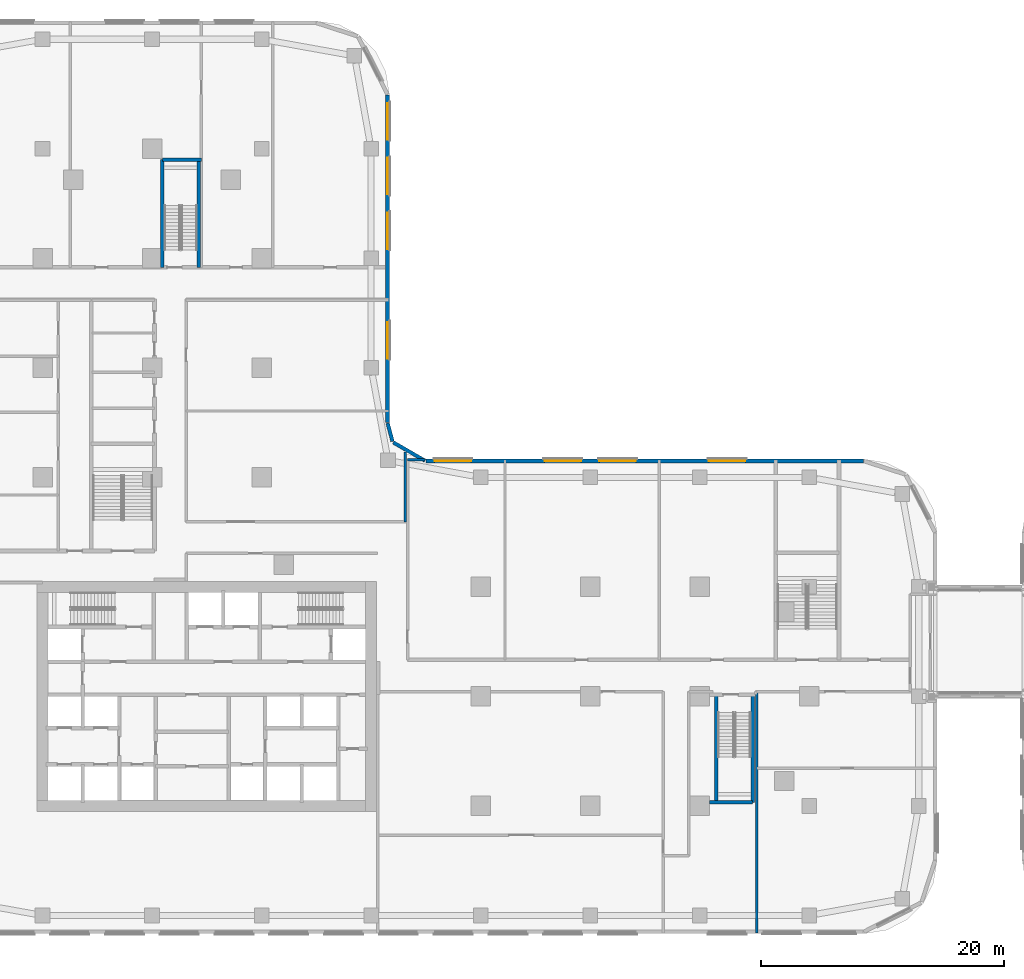
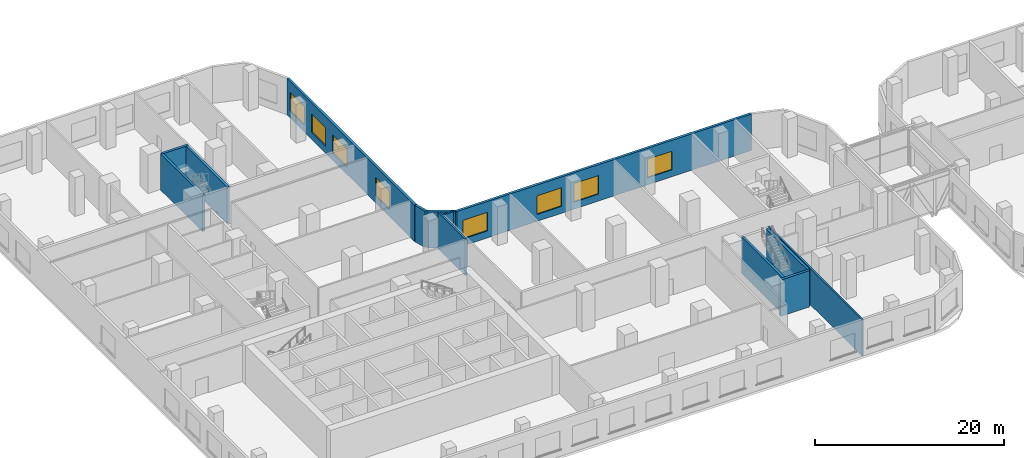
# One storey, part 10 of 35: 13 walls, 8 windows, 8 openings.
"""IFC4 building model written with IfcOpenShell, lengths in metres."""

from ifc_helpers import new_model, si_unit, direction, frame, frame_2d, origin, place, context, subcontext, project, spatial, rectangle, extrude, material, layer, layer_set, type_object, element, fill, save


model = new_model("IFC4")

# Units and contexts
model_context = context("Model", 3, precision=1e-05, world=origin(), true_north=direction((0.0, 1.0)))
body_context = subcontext(model_context, "Body", "Model", "MODEL_VIEW")
ifc_project = project(units=[si_unit("LENGTHUNIT", "METRE"), si_unit("AREAUNIT", "SQUARE_METRE"), si_unit("VOLUMEUNIT", "CUBIC_METRE"), si_unit("PLANEANGLEUNIT", "RADIAN"), si_unit("MASSUNIT", "GRAM", prefix="KILO")], contexts=[model_context])

# Site, building, storey
site_placement = place(None, origin())
site = spatial("IfcSite", under=ifc_project, at=site_placement, CompositionType="ELEMENT")
building_placement = place(site_placement, origin())
building = spatial("IfcBuilding", under=site, at=building_placement, Name="Ogive Portal Towers", CompositionType="ELEMENT")
storey_placement = place(building_placement, frame((0.0, 0.0, 23.5)))
storey = spatial("IfcBuildingStorey", under=building, at=storey_placement, Name="L04", CompositionType="ELEMENT", Elevation=23.5)

# Wall, openings, windows
ifc_material_1 = material(Name="Limestone cladding on lightweight block wall", Category="masonry")
ifc_layer_1 = layer(ifc_material_1, 0.300048828125)
ifc_layer_set_1 = layer_set([ifc_layer_1], Name="EXTERNAL WALL 300 STONE")
wall_type_1 = type_object("IfcWallType", Name="EXTERNAL WALL 300 STONE", PredefinedType="SOLIDWALL", material=ifc_layer_set_1)
wall_1_placement = place(storey_placement, frame((98.952392578125, 49.85009765625, 0.0), z_axis=(0.0, 0.0, 1.0), x_axis=(-1.0, 0.0, 0.0)))
wall_1 = element("IfcWall", 1, at=wall_1_placement, inside=storey, type_object=wall_type_1, Name="A:L04:f08:w0", PredefinedType="SOLIDWALL", context=body_context, shape_type="SweptSolid", body=[
    extrude(rectangle(XDim=35.952392578125, YDim=0.300048828125, at=frame_2d((17.97607421875, 0.0))), origin(), (0.0, 0.0, 1.0), 4.699951171875),
])
opening_1_placement = place(wall_1_placement, frame((9.702392578125, 0.0, 0.89990234375)))
opening_1 = element("IfcOpeningElement", 2, at=opening_1_placement, cuts=wall_1, Name="Opening WN3", PredefinedType="OPENING", context=body_context, shape_type="SweptSolid", body=[
    extrude(rectangle(XDim=3.0, YDim=2.39990234375, at=frame_2d((1.5, 1.199951171875))), frame((0.0, 0.16015625, 0.0), z_axis=(0.0, -1.0, 0.0), x_axis=(1.0, 0.0, 0.0)), (0.0, 0.0, 1.0), 0.320068359375),
])
opening_2_placement = place(wall_1_placement, frame((18.702392578125, 0.0, 0.89990234375)))
opening_2 = element("IfcOpeningElement", 3, at=opening_2_placement, cuts=wall_1, Name="Opening WN3", PredefinedType="OPENING", context=body_context, shape_type="SweptSolid", body=[
    extrude(rectangle(XDim=3.0, YDim=2.39990234375, at=frame_2d((1.5, 1.199951171875))), frame((0.0, 0.16015625, 0.0), z_axis=(0.0, -1.0, 0.0), x_axis=(1.0, 0.0, 0.0)), (0.0, 0.0, 1.0), 0.320068359375),
])
opening_3_placement = place(wall_1_placement, frame((23.202392578125, 0.0, 0.89990234375)))
opening_3 = element("IfcOpeningElement", 4, at=opening_3_placement, cuts=wall_1, Name="Opening WN3", PredefinedType="OPENING", context=body_context, shape_type="SweptSolid", body=[
    extrude(rectangle(XDim=3.0, YDim=2.39990234375, at=frame_2d((1.5, 1.199951171875))), frame((0.0, 0.16015625, 0.0), z_axis=(0.0, -1.0, 0.0), x_axis=(1.0, 0.0, 0.0)), (0.0, 0.0, 1.0), 0.320068359375),
])
opening_4_placement = place(wall_1_placement, frame((32.226318359375, 0.0, 0.89990234375)))
opening_4 = element("IfcOpeningElement", 5, at=opening_4_placement, cuts=wall_1, Name="Opening WN3", PredefinedType="OPENING", context=body_context, shape_type="SweptSolid", body=[
    extrude(rectangle(XDim=3.0, YDim=2.39990234375, at=frame_2d((1.5, 1.199951171875))), frame((0.0, 0.16015625, 0.0), z_axis=(0.0, -1.0, 0.0), x_axis=(1.0, 0.0, 0.0)), (0.0, 0.0, 1.0), 0.320068359375),
])
ifc_material_2 = material(Name="Glass, clear low-iron insulated glazing", Category="glass")
window_type = type_object("IfcWindowType", Name="WINDOW PODIUM 3000x2400", PartitioningType="SINGLE_PANEL", PredefinedType="WINDOW", material=ifc_material_2)
window_1_placement = place(opening_1_placement, origin())
window_1 = element("IfcWindow", 6, at=window_1_placement, inside=storey, type_object=window_type, Name="A:L04:f08:w0:o1b", OverallHeight=2.39990234375, OverallWidth=3.0, PartitioningType="SINGLE_PANEL", PredefinedType="WINDOW", context=body_context, shape_type="SweptSolid", body=[
    extrude(rectangle(XDim=3.0, YDim=2.39990234375, at=frame_2d((1.5, 1.199951171875))), frame((0.0, 0.030029296875, 0.0), z_axis=(0.0, -1.0, 0.0), x_axis=(1.0, 0.0, 0.0)), (0.0, 0.0, 1.0), 0.06005859375),
])
fill(opening_1, window_1)
window_2_placement = place(opening_2_placement, origin())
window_2 = element("IfcWindow", 7, at=window_2_placement, inside=storey, type_object=window_type, Name="A:L04:f08:w0:o2b", OverallHeight=2.39990234375, OverallWidth=3.0, PartitioningType="SINGLE_PANEL", PredefinedType="WINDOW", context=body_context, shape_type="SweptSolid", body=[
    extrude(rectangle(XDim=3.0, YDim=2.39990234375, at=frame_2d((1.5, 1.199951171875))), frame((0.0, 0.030029296875, 0.0), z_axis=(0.0, -1.0, 0.0), x_axis=(1.0, 0.0, 0.0)), (0.0, 0.0, 1.0), 0.06005859375),
])
fill(opening_2, window_2)
window_3_placement = place(opening_3_placement, origin())
window_3 = element("IfcWindow", 8, at=window_3_placement, inside=storey, type_object=window_type, Name="A:L04:f08:w0:o3a", OverallHeight=2.39990234375, OverallWidth=3.0, PartitioningType="SINGLE_PANEL", PredefinedType="WINDOW", context=body_context, shape_type="SweptSolid", body=[
    extrude(rectangle(XDim=3.0, YDim=2.39990234375, at=frame_2d((1.5, 1.199951171875))), frame((0.0, 0.030029296875, 0.0), z_axis=(0.0, -1.0, 0.0), x_axis=(1.0, 0.0, 0.0)), (0.0, 0.0, 1.0), 0.06005859375),
])
fill(opening_3, window_3)
window_4_placement = place(opening_4_placement, origin())
window_4 = element("IfcWindow", 9, at=window_4_placement, inside=storey, type_object=window_type, Name="A:L04:f08:w0:o4", OverallHeight=2.39990234375, OverallWidth=3.0, PartitioningType="SINGLE_PANEL", PredefinedType="WINDOW", context=body_context, shape_type="SweptSolid", body=[
    extrude(rectangle(XDim=3.0, YDim=2.39990234375, at=frame_2d((1.5, 1.199951171875))), frame((0.0, 0.030029296875, 0.0), z_axis=(0.0, -1.0, 0.0), x_axis=(1.0, 0.0, 0.0)), (0.0, 0.0, 1.0), 0.06005859375),
])
fill(opening_4, window_4)

# Walls
wall_2_placement = place(storey_placement, frame((62.925048828125, 49.8701171875, 0.0), z_axis=(0.0, 0.0, 1.0), x_axis=(-0.866031096941, 0.499990139034, 0.0)))
element("IfcWall", 10, at=wall_2_placement, inside=storey, type_object=wall_type_1, Name="A:L04:f09:w0", PredefinedType="SOLIDWALL", context=body_context, shape_type="SweptSolid", body=[
    extrude(rectangle(XDim=3.0, YDim=0.300048828125, at=frame_2d((1.5, 0.0))), origin(), (0.0, 0.0, 1.0), 4.699951171875),
])
wall_3_placement = place(storey_placement, frame((60.257080078125, 51.461181640625, 0.0), z_axis=(0.0, 0.0, 1.0), x_axis=(-0.258777996848, 0.965936824201, 0.0)))
element("IfcWall", 11, at=wall_3_placement, inside=storey, type_object=wall_type_1, Name="A:L04:f10:w0", PredefinedType="SOLIDWALL", context=body_context, shape_type="SweptSolid", body=[
    extrude(rectangle(XDim=1.552978515625, YDim=0.300048828125, at=frame_2d((0.7763671875, 0.0))), origin(), (0.0, 0.0, 1.0), 4.699951171875),
])

# Wall, openings, windows
wall_4_placement = place(storey_placement, frame((59.85009765625, 53.0, 0.0), z_axis=(0.0, 0.0, 1.0), x_axis=(0.0, 1.0, 0.0)))
wall_4 = element("IfcWall", 12, at=wall_4_placement, inside=storey, type_object=wall_type_1, Name="A:L04:f11:w0", PredefinedType="SOLIDWALL", context=body_context, shape_type="SweptSolid", body=[
    extrude(rectangle(XDim=26.927978515625, YDim=0.300048828125, at=frame_2d((13.4638671875, 0.0))), origin(), (0.0, 0.0, 1.0), 4.699951171875),
])
opening_5_placement = place(wall_4_placement, frame((5.25, 0.0, 0.89990234375)))
opening_5 = element("IfcOpeningElement", 13, at=opening_5_placement, cuts=wall_4, Name="Opening WN3", PredefinedType="OPENING", context=body_context, shape_type="SweptSolid", body=[
    extrude(rectangle(XDim=3.0, YDim=2.39990234375, at=frame_2d((1.5, 1.199951171875))), frame((0.0, 0.16015625, 0.0), z_axis=(0.0, -1.0, 0.0), x_axis=(1.0, 0.0, 0.0)), (0.0, 0.0, 1.0), 0.320068359375),
])
opening_6_placement = place(wall_4_placement, frame((14.25, 0.0, 0.89990234375)))
opening_6 = element("IfcOpeningElement", 14, at=opening_6_placement, cuts=wall_4, Name="Opening WN3", PredefinedType="OPENING", context=body_context, shape_type="SweptSolid", body=[
    extrude(rectangle(XDim=3.0, YDim=2.39990234375, at=frame_2d((1.5, 1.199951171875))), frame((0.0, 0.16015625, 0.0), z_axis=(0.0, -1.0, 0.0), x_axis=(1.0, 0.0, 0.0)), (0.0, 0.0, 1.0), 0.320068359375),
])
opening_7_placement = place(wall_4_placement, frame((18.75, 0.0, 0.89990234375)))
opening_7 = element("IfcOpeningElement", 15, at=opening_7_placement, cuts=wall_4, Name="Opening WN3", PredefinedType="OPENING", context=body_context, shape_type="SweptSolid", body=[
    extrude(rectangle(XDim=3.0, YDim=2.39990234375, at=frame_2d((1.5, 1.199951171875))), frame((0.0, 0.16015625, 0.0), z_axis=(0.0, -1.0, 0.0), x_axis=(1.0, 0.0, 0.0)), (0.0, 0.0, 1.0), 0.320068359375),
])
opening_8_placement = place(wall_4_placement, frame((23.25, 0.0, 0.89990234375)))
opening_8 = element("IfcOpeningElement", 16, at=opening_8_placement, cuts=wall_4, Name="Opening WN3", PredefinedType="OPENING", context=body_context, shape_type="SweptSolid", body=[
    extrude(rectangle(XDim=3.0, YDim=2.39990234375, at=frame_2d((1.5, 1.199951171875))), frame((0.0, 0.16015625, 0.0), z_axis=(0.0, -1.0, 0.0), x_axis=(1.0, 0.0, 0.0)), (0.0, 0.0, 1.0), 0.320068359375),
])
window_5_placement = place(opening_5_placement, origin())
window_5 = element("IfcWindow", 17, at=window_5_placement, inside=storey, type_object=window_type, Name="A:L04:f11:w0:o1a", OverallHeight=2.39990234375, OverallWidth=3.0, PartitioningType="SINGLE_PANEL", PredefinedType="WINDOW", context=body_context, shape_type="SweptSolid", body=[
    extrude(rectangle(XDim=3.0, YDim=2.39990234375, at=frame_2d((1.5, 1.199951171875))), frame((0.0, 0.030029296875, 0.0), z_axis=(0.0, -1.0, 0.0), x_axis=(1.0, 0.0, 0.0)), (0.0, 0.0, 1.0), 0.06005859375),
])
fill(opening_5, window_5)
window_6_placement = place(opening_6_placement, origin())
window_6 = element("IfcWindow", 18, at=window_6_placement, inside=storey, type_object=window_type, Name="A:L04:f11:w0:o2a", OverallHeight=2.39990234375, OverallWidth=3.0, PartitioningType="SINGLE_PANEL", PredefinedType="WINDOW", context=body_context, shape_type="SweptSolid", body=[
    extrude(rectangle(XDim=3.0, YDim=2.39990234375, at=frame_2d((1.5, 1.199951171875))), frame((0.0, 0.030029296875, 0.0), z_axis=(0.0, -1.0, 0.0), x_axis=(1.0, 0.0, 0.0)), (0.0, 0.0, 1.0), 0.06005859375),
])
fill(opening_6, window_6)
window_7_placement = place(opening_7_placement, origin())
window_7 = element("IfcWindow", 19, at=window_7_placement, inside=storey, type_object=window_type, Name="A:L04:f11:w0:o2b", OverallHeight=2.39990234375, OverallWidth=3.0, PartitioningType="SINGLE_PANEL", PredefinedType="WINDOW", context=body_context, shape_type="SweptSolid", body=[
    extrude(rectangle(XDim=3.0, YDim=2.39990234375, at=frame_2d((1.5, 1.199951171875))), frame((0.0, 0.030029296875, 0.0), z_axis=(0.0, -1.0, 0.0), x_axis=(1.0, 0.0, 0.0)), (0.0, 0.0, 1.0), 0.06005859375),
])
fill(opening_7, window_7)
window_8_placement = place(opening_8_placement, origin())
window_8 = element("IfcWindow", 20, at=window_8_placement, inside=storey, type_object=window_type, Name="A:L04:f11:w0:o3", OverallHeight=2.39990234375, OverallWidth=3.0, PartitioningType="SINGLE_PANEL", PredefinedType="WINDOW", context=body_context, shape_type="SweptSolid", body=[
    extrude(rectangle(XDim=3.0, YDim=2.39990234375, at=frame_2d((1.5, 1.199951171875))), frame((0.0, 0.030029296875, 0.0), z_axis=(0.0, -1.0, 0.0), x_axis=(1.0, 0.0, 0.0)), (0.0, 0.0, 1.0), 0.06005859375),
])
fill(opening_8, window_8)

# Walls
ifc_material_3 = material(Name="Concrete C50/60", Category="concrete")
ifc_layer_2 = layer(ifc_material_3, 0.300048828125)
ifc_layer_set_2 = layer_set([ifc_layer_2], Name="STAIR WALL 300 C50")
wall_type_2 = type_object("IfcWallType", Name="STAIR WALL 300 C50", PredefinedType="SHEAR", material=ifc_layer_set_2)
wall_5_placement = place(storey_placement, frame((86.300048828125, 21.800048828125, 0.0), z_axis=(0.0, 0.0, 1.0), x_axis=(1.0, 0.0, 0.0)))
element("IfcWall", 21, at=wall_5_placement, inside=storey, type_object=wall_type_2, Name="Stair wall ST-A4 L04", PredefinedType="SHEAR", context=body_context, shape_type="SweptSolid", body=[
    extrude(rectangle(XDim=3.550048828125, YDim=0.300048828125, at=frame_2d((1.77490234375, 0.0))), origin(), (0.0, 0.0, 1.0), 4.699951171875),
])
wall_6_placement = place(storey_placement, frame((41.35009765625, 74.60009765625, 0.0), z_axis=(0.0, 0.0, 1.0), x_axis=(1.0, 0.0, 0.0)))
element("IfcWall", 22, at=wall_6_placement, inside=storey, type_object=wall_type_2, Name="Stair wall ST-A3 L04", PredefinedType="SHEAR", context=body_context, shape_type="SweptSolid", body=[
    extrude(rectangle(XDim=3.199951171875, YDim=0.300048828125, at=frame_2d((1.60009765625, 0.0))), origin(), (0.0, 0.0, 1.0), 4.699951171875),
])
for number, where, z_axis, x_axis, name in (
    (23, (41.35009765625, 65.75, 0.0), (0.0, 0.0, 1.0), (0.0, 1.0, 0.0), "Stair wall ST-A3 L04"),
    (24, (44.35009765625, 65.75, 0.0), (0.0, 0.0, 1.0), (0.0, 1.0, 0.0), "Stair wall ST-A3 L04"),
):
    element("IfcWall", number, at=place(storey_placement, frame(where, z_axis=z_axis, x_axis=x_axis)), inside=storey, type_object=wall_type_2, Name=name, PredefinedType="SHEAR", context=body_context, shape_type="SweptSolid", body=[
        extrude(rectangle(XDim=8.85009765625, YDim=0.300048828125, at=frame_2d((4.425048828125, 0.0))), origin(), (0.0, 0.0, 1.0), 4.699951171875),
    ])
for number, where, z_axis, x_axis, name in (
    (25, (86.85009765625, 21.800048828125, 0.0), (0.0, 0.0, 1.0), (0.0, 1.0, 0.0), "Stair wall ST-A4 L04"),
    (26, (89.85009765625, 21.800048828125, 0.0), (0.0, 0.0, 1.0), (0.0, 1.0, 0.0), "Stair wall ST-A4 L04"),
):
    element("IfcWall", number, at=place(storey_placement, frame(where, z_axis=z_axis, x_axis=x_axis)), inside=storey, type_object=wall_type_2, Name=name, PredefinedType="SHEAR", context=body_context, shape_type="SweptSolid", body=[
        extrude(rectangle(XDim=8.849853515625, YDim=0.300048828125, at=frame_2d((4.4248046875, 0.0))), origin(), (0.0, 0.0, 1.0), 4.699951171875),
    ])
ifc_material_4 = material(Name="Gypsum board partition on steel studs", Category="steel")
ifc_layer_3 = layer(ifc_material_4, 0.199951171875)
ifc_layer_set_3 = layer_set([ifc_layer_3], Name="WT-PART-200-EI 60")
wall_type_3 = type_object("IfcWallType", Name="WT-PART-200-EI 60", PredefinedType="PARTITIONING", material=ifc_layer_set_3)
wall_7_placement = place(storey_placement, frame((61.5, 49.949951171875, 0.0), z_axis=(0.0, 0.0, 1.0), x_axis=(1.0, 0.0, 0.0)))
element("IfcWall", 27, at=wall_7_placement, inside=storey, type_object=wall_type_3, Name="Wall L04:w043", PredefinedType="PARTITIONING", context=body_context, shape_type="SweptSolid", body=[
    extrude(rectangle(XDim=1.416015625, YDim=0.199951171875, at=frame_2d((0.7080078125, 0.0))), origin(), (0.0, 0.0, 1.0), 4.699951171875),
])
wall_8_placement = place(storey_placement, frame((61.300048828125, 44.85009765625, 0.0), z_axis=(0.0, 0.0, 1.0), x_axis=(0.0, 1.0, 0.0)))
element("IfcWall", 28, at=wall_8_placement, inside=storey, type_object=wall_type_3, Name="Wall L04:w093", PredefinedType="PARTITIONING", context=body_context, shape_type="SweptSolid", body=[
    extrude(rectangle(XDim=5.741943359375, YDim=0.199951171875, at=frame_2d((2.87109375, 0.0))), origin(), (0.0, 0.0, 1.0), 4.699951171875),
])
wall_9_placement = place(storey_placement, frame((90.199951171875, 11.070068359375, 0.0), z_axis=(0.0, 0.0, 1.0), x_axis=(0.0, 1.0, 0.0)))
element("IfcWall", 29, at=wall_9_placement, inside=storey, type_object=wall_type_3, Name="Wall L04:w103", PredefinedType="PARTITIONING", context=body_context, shape_type="SweptSolid", body=[
    extrude(rectangle(XDim=19.829833984375, YDim=0.199951171875, at=frame_2d((9.9150390625, 0.0))), origin(), (0.0, 0.0, 1.0), 4.699951171875),
])

save(model, "model.ifc")
